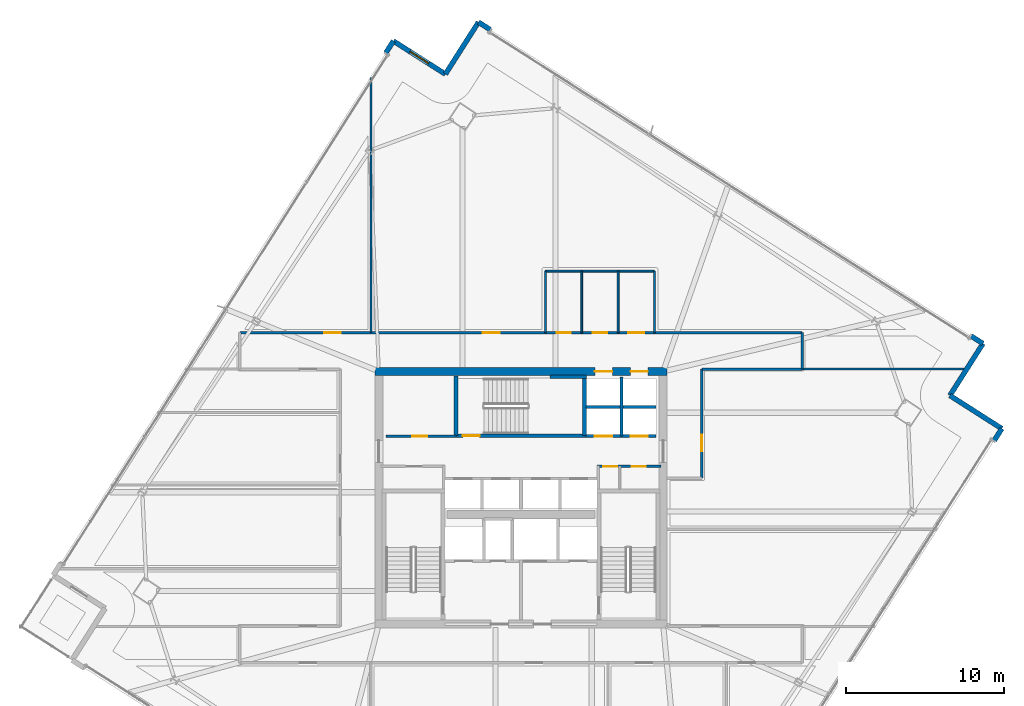
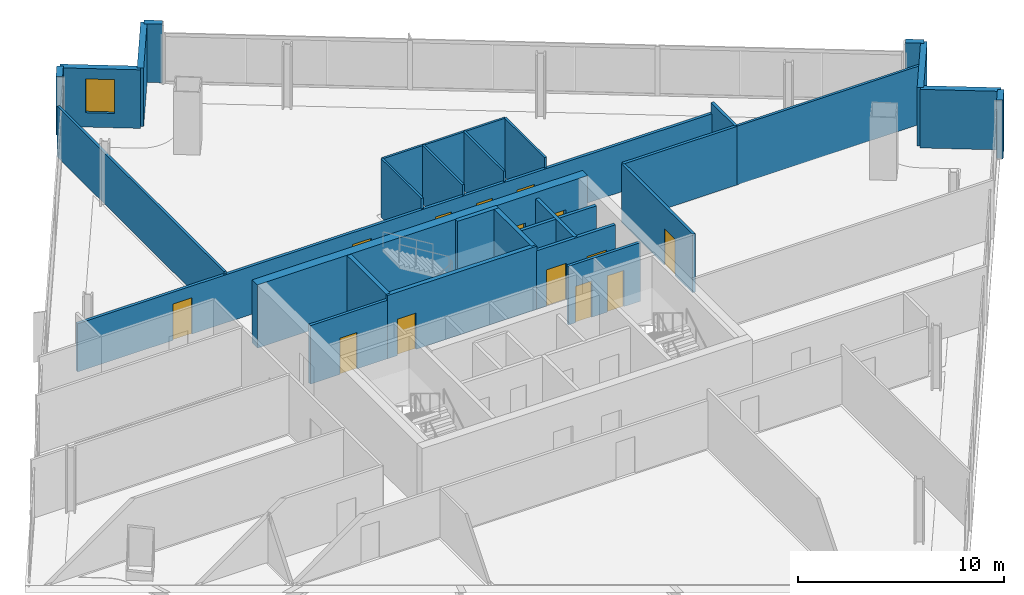
# One storey, part 24 of 30: 29 walls, 14 doors, 1 window, 15 openings.
"""IFC4 building model written with IfcOpenShell, lengths in metres."""

from ifc_helpers import new_model, si_unit, direction, frame, frame_2d, origin, place, context, subcontext, project, spatial, rectangle, extrude, material, layer, layer_set, type_object, element, fill, save


model = new_model("IFC4")

# Units and contexts
model_context = context("Model", 3, precision=1e-05, world=origin(), true_north=direction((0.0, 1.0)))
body_context = subcontext(model_context, "Body", "Model", "MODEL_VIEW")
ifc_project = project(units=[si_unit("LENGTHUNIT", "METRE"), si_unit("AREAUNIT", "SQUARE_METRE"), si_unit("VOLUMEUNIT", "CUBIC_METRE"), si_unit("PLANEANGLEUNIT", "RADIAN"), si_unit("MASSUNIT", "GRAM", prefix="KILO")], contexts=[model_context])

# Site, building, storey
site_placement = place(None, origin())
site = spatial("IfcSite", under=ifc_project, at=site_placement, CompositionType="ELEMENT")
building_placement = place(site_placement, origin())
building = spatial("IfcBuilding", under=site, at=building_placement, Name="Haldenkirk Collegiate Tower", CompositionType="ELEMENT")
storey_placement = place(building_placement, frame((0.0, 0.0, 220.949951171875)))
storey = spatial("IfcBuildingStorey", under=building, at=storey_placement, Name="L55", CompositionType="ELEMENT", Elevation=220.949951171875)

# Wall, openings, doors
ifc_material_1 = material(Name="Concrete f'c 55 MPa", Category="concrete")
ifc_layer_1 = layer(ifc_material_1, 0.5)
ifc_layer_set_1 = layer_set([ifc_layer_1], Name="Concrete f'c 55 MPa")
wall_type_1 = type_object("IfcWallType", Name="WL-CORE-500", PredefinedType="SHEAR", material=ifc_layer_set_1)
wall_1_placement = place(storey_placement, frame((26.75, 34.0, 0.0), z_axis=(0.0, 0.0, 1.0), x_axis=(1.0, 0.0, 0.0)))
wall_1 = element("IfcWall", 1, at=wall_1_placement, inside=storey, type_object=wall_type_1, Name="L55 central core shear wall N", PredefinedType="SHEAR", context=body_context, shape_type="SweptSolid", body=[
    extrude(rectangle(XDim=18.5, YDim=0.5, at=frame_2d((9.25, 0.0))), origin(), (0.0, 0.0, 1.0), 3.75),
])
opening_1_placement = place(wall_1_placement, frame((13.93505859375, 0.0, 0.0)))
opening_1 = element("IfcOpeningElement", 2, at=opening_1_placement, cuts=wall_1, Name="Opening LD-11", PredefinedType="OPENING", context=body_context, shape_type="SweptSolid", body=[
    extrude(rectangle(XDim=1.10009765625, YDim=2.14990234375, at=frame_2d((0.550048828125, 1.074951171875))), frame((0.0, 0.260009765625, 0.0), z_axis=(0.0, -1.0, 0.0), x_axis=(1.0, 0.0, 0.0)), (0.0, 0.0, 1.0), 0.52001953125),
])
opening_2_placement = place(wall_1_placement, frame((16.18505859375, 0.0, 0.0)))
opening_2 = element("IfcOpeningElement", 3, at=opening_2_placement, cuts=wall_1, Name="Opening LD-11", PredefinedType="OPENING", context=body_context, shape_type="SweptSolid", body=[
    extrude(rectangle(XDim=1.10009765625, YDim=2.14990234375, at=frame_2d((0.550048828125, 1.074951171875))), frame((0.0, 0.260009765625, 0.0), z_axis=(0.0, -1.0, 0.0), x_axis=(1.0, 0.0, 0.0)), (0.0, 0.0, 1.0), 0.52001953125),
])
ifc_material_2 = material(Name="Brushed architectural stainless steel", Category="steel")
ifc_layer_2 = layer(ifc_material_2, 0.06005859375)
ifc_layer_set_2 = layer_set([ifc_layer_2], Name="Brushed architectural stainless steel")
door_type_1 = type_object("IfcDoorType", Name="LD-PASS-1100", OperationType="NOTDEFINED", PredefinedType="DOOR", material=ifc_layer_set_2)
door_1_placement = place(opening_1_placement, origin())
door_1 = element("IfcDoor", 4, at=door_1_placement, inside=storey, type_object=door_type_1, Name="L55 Elevator PM3 sliding landing door", OperationType="SLIDING_TO_LEFT", OverallHeight=2.14990234375, OverallWidth=1.10009765625, PredefinedType="DOOR", context=body_context, shape_type="SweptSolid", body=[
    extrude(rectangle(XDim=1.10009765625, YDim=2.14990234375, at=frame_2d((0.550048828125, 1.074951171875))), frame((0.0, 0.02490234375, 0.0), z_axis=(0.0, -1.0, 0.0), x_axis=(1.0, 0.0, 0.0)), (0.0, 0.0, 1.0), 0.050048828125),
])
fill(opening_1, door_1)
door_2_placement = place(opening_2_placement, origin())
door_2 = element("IfcDoor", 5, at=door_2_placement, inside=storey, type_object=door_type_1, Name="L55 Elevator PM4 sliding landing door", OperationType="SLIDING_TO_LEFT", OverallHeight=2.14990234375, OverallWidth=1.10009765625, PredefinedType="DOOR", context=body_context, shape_type="SweptSolid", body=[
    extrude(rectangle(XDim=1.10009765625, YDim=2.14990234375, at=frame_2d((0.550048828125, 1.074951171875))), frame((0.0, 0.02490234375, 0.0), z_axis=(0.0, -1.0, 0.0), x_axis=(1.0, 0.0, 0.0)), (0.0, 0.0, 1.0), 0.050048828125),
])
fill(opening_2, door_2)

# Walls
ifc_material_3 = material(Name="Precast concrete f'c 40 MPa", Category="concrete")
ifc_layer_3 = layer(ifc_material_3, 0.320068359375)
ifc_layer_set_3 = layer_set([ifc_layer_3], Name="Precast concrete f'c 40 MPa")
wall_type_2 = type_object("IfcWallType", Name="WL-EXT-TWR-320", PredefinedType="STANDARD", material=ifc_layer_set_3)
wall_2_placement = place(storey_placement, frame((66.445068359375, 30.37744140625, 0.0), z_axis=(0.0, 0.0, 1.0), x_axis=(-0.537366861127, -0.843348597297, 0.0)))
element("IfcWall", 6, at=wall_2_placement, inside=storey, type_object=wall_type_2, Name="L55 precast corner pier SL", PredefinedType="STANDARD", context=body_context, shape_type="SweptSolid", body=[
    extrude(rectangle(XDim=0.89990234375, YDim=0.320068359375, at=frame_2d((0.449951171875, 0.0))), origin(), (0.0, 0.0, 1.0), 3.469970703125),
])
for number, where, z_axis, x_axis, name in (
    (7, (63.15576171875, 32.472900390625, 0.0), (0.0, 0.0, 1.0), (0.8433984701, -0.537288582266, 0.0), "L55 bronze precast notch wall 02"),
    (8, (65.251220703125, 35.76220703125, 0.0), (0.0, 0.0, 1.0), (-0.537288582266, -0.8433984701, 0.0), "L55 bronze precast notch wall 03"),
):
    element("IfcWall", number, at=place(storey_placement, frame(where, z_axis=z_axis, x_axis=x_axis)), inside=storey, type_object=wall_type_2, Name=name, PredefinedType="STANDARD", context=body_context, shape_type="SweptSolid", body=[
        extrude(rectangle(XDim=3.900146484375, YDim=0.320068359375, at=frame_2d((1.9501953125, 0.0))), origin(), (0.0, 0.0, 1.0), 3.469970703125),
    ])
for number, where, z_axis, x_axis, name in (
    (9, (33.307861328125, 56.1123046875, 0.0), (0.0, 0.0, 1.0), (0.843471524989, -0.537173888543, 0.0), "L55 precast corner pier EL"),
    (10, (64.4921875, 36.245849609375, 0.0), (0.0, 0.0, 1.0), (0.843348597297, -0.537366861127, 0.0), "L55 precast corner pier ER"),
):
    element("IfcWall", number, at=place(storey_placement, frame(where, z_axis=z_axis, x_axis=x_axis)), inside=storey, type_object=wall_type_2, Name=name, PredefinedType="STANDARD", context=body_context, shape_type="SweptSolid", body=[
        extrude(rectangle(XDim=0.89990234375, YDim=0.320068359375, at=frame_2d((0.449951171875, 0.0))), origin(), (0.0, 0.0, 1.0), 3.469970703125),
    ])
wall_3_placement = place(storey_placement, frame((31.21240234375, 52.8232421875, 0.0), z_axis=(0.0, 0.0, 1.0), x_axis=(0.537316950166, 0.843380397605, 0.0)))
element("IfcWall", 11, at=wall_3_placement, inside=storey, type_object=wall_type_2, Name="L55 bronze precast notch wall 05", PredefinedType="STANDARD", context=body_context, shape_type="SweptSolid", body=[
    extrude(rectangle(XDim=3.89990234375, YDim=0.320068359375, at=frame_2d((1.949951171875, 0.0))), origin(), (0.0, 0.0, 1.0), 3.469970703125),
])

# Wall, opening, window
wall_4_placement = place(storey_placement, frame((27.923095703125, 54.918701171875, 0.0), z_axis=(0.0, 0.0, 1.0), x_axis=(0.8433984701, -0.537288582266, 0.0)))
wall_4 = element("IfcWall", 12, at=wall_4_placement, inside=storey, type_object=wall_type_2, Name="L55 bronze precast notch wall 06", PredefinedType="STANDARD", context=body_context, shape_type="SweptSolid", body=[
    extrude(rectangle(XDim=3.900146484375, YDim=0.320068359375, at=frame_2d((1.9501953125, 0.0))), origin(), (0.0, 0.0, 1.0), 3.469970703125),
])
opening_3_placement = place(wall_4_placement, frame((1.25, 0.0, 0.85009765625)))
opening_3 = element("IfcOpeningElement", 13, at=opening_3_placement, cuts=wall_4, Name="Opening W-06", PredefinedType="OPENING", context=body_context, shape_type="SweptSolid", body=[
    extrude(rectangle(XDim=1.39990234375, YDim=2.0, at=frame_2d((0.699951171875, 1.0))), frame((0.0, 0.169921875, 0.0), z_axis=(0.0, -1.0, 0.0), x_axis=(1.0, 0.0, 0.0)), (0.0, 0.0, 1.0), 0.340087890625),
])
ifc_material_4 = material(Name="Low-E argon triple insulating glass", Category="glass")
ifc_layer_4 = layer(ifc_material_4, 0.090087890625)
ifc_layer_set_4 = layer_set([ifc_layer_4], Name="Low-E argon triple insulating glass")
window_type = type_object("IfcWindowType", Name="WN-Z4-1400X2000", PartitioningType="SINGLE_PANEL", PredefinedType="WINDOW", material=ifc_layer_set_4)
window_placement = place(opening_3_placement, origin())
window = element("IfcWindow", 14, at=window_placement, inside=storey, type_object=window_type, Name="L55 precast-frame academic window 5", OverallHeight=2.0, OverallWidth=1.39990234375, PartitioningType="SINGLE_PANEL", PredefinedType="WINDOW", context=body_context, shape_type="SweptSolid", body=[
    extrude(rectangle(XDim=1.39990234375, YDim=2.0, at=frame_2d((0.699951171875, 1.0))), frame((0.0, 0.030029296875, 0.0), z_axis=(0.0, -1.0, 0.0), x_axis=(1.0, 0.0, 0.0)), (0.0, 0.0, 1.0), 0.06005859375),
])
fill(opening_3, window)

# Wall
wall_5_placement = place(storey_placement, frame((27.439453125, 54.159423828125, 0.0), z_axis=(0.0, 0.0, 1.0), x_axis=(0.53724395169, 0.843426900432, 0.0)))
element("IfcWall", 15, at=wall_5_placement, inside=storey, type_object=wall_type_2, Name="L55 precast corner pier NR", PredefinedType="STANDARD", context=body_context, shape_type="SweptSolid", body=[
    extrude(rectangle(XDim=0.900146484375, YDim=0.320068359375, at=frame_2d((0.4501953125, 0.0))), origin(), (0.0, 0.0, 1.0), 3.469970703125),
])

# Wall, openings, doors
ifc_material_5 = material(Name="Acoustic fire-rated gypsum partition", Category="concrete")
ifc_layer_5 = layer(ifc_material_5, 0.159912109375)
ifc_layer_set_5 = layer_set([ifc_layer_5], Name="Acoustic fire-rated gypsum partition")
wall_type_3 = type_object("IfcWallType", Name="WL-INT-CORR-160", PredefinedType="PARTITIONING", material=ifc_layer_set_5)
wall_6_placement = place(storey_placement, frame((40.800048828125, 27.97998046875, 0.0), z_axis=(0.0, 0.0, 1.0), x_axis=(1.0, 0.0, 0.0)))
wall_6 = element("IfcWall", 16, at=wall_6_placement, inside=storey, type_object=wall_type_3, Name="L55 interior partition IW-L55-VCSE-N", PredefinedType="PARTITIONING", context=body_context, shape_type="SweptSolid", body=[
    extrude(rectangle(XDim=4.050048828125, YDim=0.159912109375, at=frame_2d((2.02490234375, 0.0))), origin(), (0.0, 0.0, 1.0), 3.469970703125),
])
opening_4_placement = place(wall_6_placement, frame((0.407470703125, 0.0, 0.0)))
opening_4 = element("IfcOpeningElement", 17, at=opening_4_placement, cuts=wall_6, Name="Opening D-11", PredefinedType="OPENING", context=body_context, shape_type="SweptSolid", body=[
    extrude(rectangle(XDim=0.89990234375, YDim=2.14990234375, at=frame_2d((0.449951171875, 1.074951171875))), frame((0.0, 0.08984375, 0.0), z_axis=(0.0, -1.0, 0.0), x_axis=(1.0, 0.0, 0.0)), (0.0, 0.0, 1.0), 0.179931640625),
])
opening_5_placement = place(wall_6_placement, frame((2.199951171875, 0.0, 0.0)))
opening_5 = element("IfcOpeningElement", 18, at=opening_5_placement, cuts=wall_6, Name="Opening D-11", PredefinedType="OPENING", context=body_context, shape_type="SweptSolid", body=[
    extrude(rectangle(XDim=0.89990234375, YDim=2.14990234375, at=frame_2d((0.449951171875, 1.074951171875))), frame((0.0, 0.08984375, 0.0), z_axis=(0.0, -1.0, 0.0), x_axis=(1.0, 0.0, 0.0)), (0.0, 0.0, 1.0), 0.179931640625),
])
ifc_material_6 = material(Name="Solid-core architectural oak fire door", Category="wood")
ifc_layer_6 = layer(ifc_material_6, 0.06005859375)
ifc_layer_set_6 = layer_set([ifc_layer_6], Name="Solid-core architectural oak fire door")
door_type_2 = type_object("IfcDoorType", Name="DR-INT-FD60-900", OperationType="NOTDEFINED", PredefinedType="DOOR", material=ifc_layer_set_6)
door_3_placement = place(opening_4_placement, origin())
door_3 = element("IfcDoor", 19, at=door_3_placement, inside=storey, type_object=door_type_2, Name="L55 core copy room door", OperationType="SINGLE_SWING_LEFT", OverallHeight=2.14990234375, OverallWidth=0.89990234375, PredefinedType="DOOR", context=body_context, shape_type="SweptSolid", body=[
    extrude(rectangle(XDim=0.89990234375, YDim=2.14990234375, at=frame_2d((0.449951171875, 1.074951171875))), frame((0.0, 0.02490234375, 0.0), z_axis=(0.0, -1.0, 0.0), x_axis=(1.0, 0.0, 0.0)), (0.0, 0.0, 1.0), 0.050048828125),
])
fill(opening_4, door_3)
door_4_placement = place(opening_5_placement, origin())
door_4 = element("IfcDoor", 20, at=door_4_placement, inside=storey, type_object=door_type_2, Name="L55 core records store door", OperationType="SINGLE_SWING_RIGHT", OverallHeight=2.14990234375, OverallWidth=0.89990234375, PredefinedType="DOOR", context=body_context, shape_type="SweptSolid", body=[
    extrude(rectangle(XDim=0.89990234375, YDim=2.14990234375, at=frame_2d((0.449951171875, 1.074951171875))), frame((0.0, 0.02490234375, 0.0), z_axis=(0.0, -1.0, 0.0), x_axis=(1.0, 0.0, 0.0)), (0.0, 0.0, 1.0), 0.050048828125),
])
fill(opening_5, door_4)

# Wall, opening, door
wall_7_placement = place(storey_placement, frame((27.449951171875, 29.89990234375, 0.0), z_axis=(0.0, 0.0, 1.0), x_axis=(1.0, 0.0, 0.0)))
wall_7 = element("IfcWall", 21, at=wall_7_placement, inside=storey, type_object=wall_type_3, Name="L55 interior partition IW-L55-PLS", PredefinedType="PARTITIONING", context=body_context, shape_type="SweptSolid", body=[
    extrude(rectangle(XDim=4.429931640625, YDim=0.159912109375, at=frame_2d((2.21484375, 0.0))), origin(), (0.0, 0.0, 1.0), 3.469970703125),
])
opening_6_placement = place(wall_7_placement, frame((1.675048828125, 0.0, 0.0)))
opening_6 = element("IfcOpeningElement", 22, at=opening_6_placement, cuts=wall_7, Name="Opening D-10", PredefinedType="OPENING", context=body_context, shape_type="SweptSolid", body=[
    extrude(rectangle(XDim=0.949951171875, YDim=2.14990234375, at=frame_2d((0.47509765625, 1.074951171875))), frame((0.0, 0.08984375, 0.0), z_axis=(0.0, -1.0, 0.0), x_axis=(1.0, 0.0, 0.0)), (0.0, 0.0, 1.0), 0.179931640625),
])
ifc_layer_7 = layer(ifc_material_6, 0.06005859375)
ifc_layer_set_7 = layer_set([ifc_layer_7], Name="Solid-core architectural oak fire door")
door_type_3 = type_object("IfcDoorType", Name="DR-INT-FD60-950", OperationType="NOTDEFINED", PredefinedType="DOOR", material=ifc_layer_set_7)
door_5_placement = place(opening_6_placement, origin())
door_5 = element("IfcDoor", 23, at=door_5_placement, inside=storey, type_object=door_type_3, Name="L55 archive door", OperationType="SINGLE_SWING_LEFT", OverallHeight=2.14990234375, OverallWidth=0.949951171875, PredefinedType="DOOR", context=body_context, shape_type="SweptSolid", body=[
    extrude(rectangle(XDim=0.949951171875, YDim=2.14990234375, at=frame_2d((0.47509765625, 1.074951171875))), frame((0.0, 0.02490234375, 0.0), z_axis=(0.0, -1.0, 0.0), x_axis=(1.0, 0.0, 0.0)), (0.0, 0.0, 1.0), 0.050048828125),
])
fill(opening_6, door_5)

# Wall, openings, doors
wall_8_placement = place(storey_placement, frame((18.199951171875, 36.449951171875, 0.0), z_axis=(0.0, 0.0, 1.0), x_axis=(1.0, 0.0, 0.0)))
wall_8 = element("IfcWall", 24, at=wall_8_placement, inside=storey, type_object=wall_type_3, Name="L55 interior partition IW-L55-CN", PredefinedType="PARTITIONING", context=body_context, shape_type="SweptSolid", body=[
    extrude(rectangle(XDim=35.60009765625, YDim=0.159912109375, at=frame_2d((17.800048828125, 0.0))), origin(), (0.0, 0.0, 1.0), 2.84912109375),
])
opening_7_placement = place(wall_8_placement, frame((20.050048828125, 0.0, 0.0)))
opening_7 = element("IfcOpeningElement", 25, at=opening_7_placement, cuts=wall_8, Name="Opening D-13", PredefinedType="OPENING", context=body_context, shape_type="SweptSolid", body=[
    extrude(rectangle(XDim=0.89990234375, YDim=2.14990234375, at=frame_2d((0.449951171875, 1.074951171875))), frame((0.0, 0.08984375, 0.0), z_axis=(0.0, -1.0, 0.0), x_axis=(1.0, 0.0, 0.0)), (0.0, 0.0, 1.0), 0.179931640625),
])
opening_8_placement = place(wall_8_placement, frame((22.35009765625, 0.0, 0.0)))
opening_8 = element("IfcOpeningElement", 26, at=opening_8_placement, cuts=wall_8, Name="Opening D-13", PredefinedType="OPENING", context=body_context, shape_type="SweptSolid", body=[
    extrude(rectangle(XDim=0.89990234375, YDim=2.14990234375, at=frame_2d((0.449951171875, 1.074951171875))), frame((0.0, 0.08984375, 0.0), z_axis=(0.0, -1.0, 0.0), x_axis=(1.0, 0.0, 0.0)), (0.0, 0.0, 1.0), 0.179931640625),
])
opening_9_placement = place(wall_8_placement, frame((24.60009765625, 0.0, 0.0)))
opening_9 = element("IfcOpeningElement", 27, at=opening_9_placement, cuts=wall_8, Name="Opening D-14", PredefinedType="OPENING", context=body_context, shape_type="SweptSolid", body=[
    extrude(rectangle(XDim=1.0, YDim=2.14990234375, at=frame_2d((0.5, 1.074951171875))), frame((0.0, 0.08984375, 0.0), z_axis=(0.0, -1.0, 0.0), x_axis=(1.0, 0.0, 0.0)), (0.0, 0.0, 1.0), 0.179931640625),
])
opening_10_placement = place(wall_8_placement, frame((5.344970703125, 0.0, 0.0)))
opening_10 = element("IfcOpeningElement", 28, at=opening_10_placement, cuts=wall_8, Name="Opening D-09", PredefinedType="OPENING", context=body_context, shape_type="SweptSolid", body=[
    extrude(rectangle(XDim=1.050048828125, YDim=2.14990234375, at=frame_2d((0.52490234375, 1.074951171875))), frame((0.0, 0.08984375, 0.0), z_axis=(0.0, -1.0, 0.0), x_axis=(1.0, 0.0, 0.0)), (0.0, 0.0, 1.0), 0.179931640625),
])
opening_11_placement = place(wall_8_placement, frame((15.39501953125, 0.0, 0.0)))
opening_11 = element("IfcOpeningElement", 29, at=opening_11_placement, cuts=wall_8, Name="Opening D-09", PredefinedType="OPENING", context=body_context, shape_type="SweptSolid", body=[
    extrude(rectangle(XDim=1.050048828125, YDim=2.14990234375, at=frame_2d((0.52490234375, 1.074951171875))), frame((0.0, 0.08984375, 0.0), z_axis=(0.0, -1.0, 0.0), x_axis=(1.0, 0.0, 0.0)), (0.0, 0.0, 1.0), 0.179931640625),
])
ifc_layer_8 = layer(ifc_material_6, 0.06005859375)
ifc_layer_set_8 = layer_set([ifc_layer_8], Name="Solid-core architectural oak fire door")
door_type_4 = type_object("IfcDoorType", Name="DR-INT-ACC-1000", OperationType="NOTDEFINED", PredefinedType="DOOR", material=ifc_layer_set_8)
door_6_placement = place(opening_9_placement, origin())
door_6 = element("IfcDoor", 30, at=door_6_placement, inside=storey, type_object=door_type_4, Name="L55 Accessible WC door", OperationType="SINGLE_SWING_RIGHT", OverallHeight=2.14990234375, OverallWidth=1.0, PredefinedType="DOOR", context=body_context, shape_type="SweptSolid", body=[
    extrude(rectangle(XDim=1.0, YDim=2.14990234375, at=frame_2d((0.5, 1.074951171875))), frame((0.0, 0.02490234375, 0.0), z_axis=(0.0, -1.0, 0.0), x_axis=(1.0, 0.0, 0.0)), (0.0, 0.0, 1.0), 0.050048828125),
])
fill(opening_9, door_6)
ifc_layer_9 = layer(ifc_material_6, 0.06005859375)
ifc_layer_set_9 = layer_set([ifc_layer_9], Name="Solid-core architectural oak fire door")
door_type_5 = type_object("IfcDoorType", Name="DR-INT-FD60-1050", OperationType="NOTDEFINED", PredefinedType="DOOR", material=ifc_layer_set_9)
door_7_placement = place(opening_10_placement, origin())
door_7 = element("IfcDoor", 31, at=door_7_placement, inside=storey, type_object=door_type_5, Name="L55 Instrument Store Room 5 door", OperationType="SINGLE_SWING_LEFT", OverallHeight=2.14990234375, OverallWidth=1.050048828125, PredefinedType="DOOR", context=body_context, shape_type="SweptSolid", body=[
    extrude(rectangle(XDim=1.050048828125, YDim=2.14990234375, at=frame_2d((0.52490234375, 1.074951171875))), frame((0.0, 0.02490234375, 0.0), z_axis=(0.0, -1.0, 0.0), x_axis=(1.0, 0.0, 0.0)), (0.0, 0.0, 1.0), 0.050048828125),
])
fill(opening_10, door_7)
door_8_placement = place(opening_11_placement, origin())
door_8 = element("IfcDoor", 32, at=door_8_placement, inside=storey, type_object=door_type_5, Name="L55 Material Specimen Store 6 door", OperationType="SINGLE_SWING_RIGHT", OverallHeight=2.14990234375, OverallWidth=1.050048828125, PredefinedType="DOOR", context=body_context, shape_type="SweptSolid", body=[
    extrude(rectangle(XDim=1.050048828125, YDim=2.14990234375, at=frame_2d((0.52490234375, 1.074951171875))), frame((0.0, 0.02490234375, 0.0), z_axis=(0.0, -1.0, 0.0), x_axis=(1.0, 0.0, 0.0)), (0.0, 0.0, 1.0), 0.050048828125),
])
fill(opening_11, door_8)
ifc_layer_10 = layer(ifc_material_6, 0.06005859375)
ifc_layer_set_10 = layer_set([ifc_layer_10], Name="Solid-core architectural oak fire door")
door_type_6 = type_object("IfcDoorType", Name="DR-INT-STD-900", OperationType="NOTDEFINED", PredefinedType="DOOR", material=ifc_layer_set_10)
door_9_placement = place(opening_7_placement, origin())
door_9 = element("IfcDoor", 33, at=door_9_placement, inside=storey, type_object=door_type_6, Name="L55 Male WC door", OperationType="SINGLE_SWING_RIGHT", OverallHeight=2.14990234375, OverallWidth=0.89990234375, PredefinedType="DOOR", context=body_context, shape_type="SweptSolid", body=[
    extrude(rectangle(XDim=0.89990234375, YDim=2.14990234375, at=frame_2d((0.449951171875, 1.074951171875))), frame((0.0, 0.02490234375, 0.0), z_axis=(0.0, -1.0, 0.0), x_axis=(1.0, 0.0, 0.0)), (0.0, 0.0, 1.0), 0.050048828125),
])
fill(opening_7, door_9)
door_10_placement = place(opening_8_placement, origin())
door_10 = element("IfcDoor", 34, at=door_10_placement, inside=storey, type_object=door_type_6, Name="L55 Female WC door", OperationType="SINGLE_SWING_LEFT", OverallHeight=2.14990234375, OverallWidth=0.89990234375, PredefinedType="DOOR", context=body_context, shape_type="SweptSolid", body=[
    extrude(rectangle(XDim=0.89990234375, YDim=2.14990234375, at=frame_2d((0.449951171875, 1.074951171875))), frame((0.0, 0.02490234375, 0.0), z_axis=(0.0, -1.0, 0.0), x_axis=(1.0, 0.0, 0.0)), (0.0, 0.0, 1.0), 0.050048828125),
])
fill(opening_8, door_10)

# Wall
wall_9_placement = place(storey_placement, frame((47.449951171875, 34.14990234375, 0.0), z_axis=(0.0, 0.0, 1.0), x_axis=(1.0, 0.0, 0.0)))
element("IfcWall", 35, at=wall_9_placement, inside=storey, type_object=wall_type_3, Name="L55 interior partition IW-L55-CNE", PredefinedType="PARTITIONING", context=body_context, shape_type="SweptSolid", body=[
    extrude(rectangle(XDim=6.35009765625, YDim=0.159912109375, at=frame_2d((3.175048828125, 0.0))), origin(), (0.0, 0.0, 1.0), 3.469970703125),
])

# Wall, opening, door
wall_10_placement = place(storey_placement, frame((47.449951171875, 27.25, 0.0), z_axis=(0.0, 0.0, 1.0), x_axis=(0.0, 1.0, 0.0)))
wall_10 = element("IfcWall", 36, at=wall_10_placement, inside=storey, type_object=wall_type_3, Name="L55 interior partition IW-L55-CE", PredefinedType="PARTITIONING", context=body_context, shape_type="SweptSolid", body=[
    extrude(rectangle(XDim=6.89990234375, YDim=0.159912109375, at=frame_2d((3.449951171875, 0.0))), origin(), (0.0, 0.0, 1.0), 3.469970703125),
])
opening_12_placement = place(wall_10_placement, frame((1.68310546875, 0.0, 0.0)))
opening_12 = element("IfcOpeningElement", 37, at=opening_12_placement, cuts=wall_10, Name="Opening D-09", PredefinedType="OPENING", context=body_context, shape_type="SweptSolid", body=[
    extrude(rectangle(XDim=1.050048828125, YDim=2.14990234375, at=frame_2d((0.52490234375, 1.074951171875))), frame((0.0, 0.08984375, 0.0), z_axis=(0.0, -1.0, 0.0), x_axis=(1.0, 0.0, 0.0)), (0.0, 0.0, 1.0), 0.179931640625),
])
door_11_placement = place(opening_12_placement, origin())
door_11 = element("IfcDoor", 38, at=door_11_placement, inside=storey, type_object=door_type_5, Name="L55 Material Specimen Store 12 door", OperationType="SINGLE_SWING_RIGHT", OverallHeight=2.14990234375, OverallWidth=1.050048828125, PredefinedType="DOOR", context=body_context, shape_type="SweptSolid", body=[
    extrude(rectangle(XDim=1.050048828125, YDim=2.14990234375, at=frame_2d((0.52490234375, 1.074951171875))), frame((0.0, 0.02490234375, 0.0), z_axis=(0.0, -1.0, 0.0), x_axis=(1.0, 0.0, 0.0)), (0.0, 0.0, 1.0), 0.050048828125),
])
fill(opening_12, door_11)

# Walls
wall_11_placement = place(storey_placement, frame((53.800048828125, 34.14990234375, 0.0), z_axis=(0.0, 0.0, 1.0), x_axis=(0.0, 1.0, 0.0)))
element("IfcWall", 39, at=wall_11_placement, inside=storey, type_object=wall_type_3, Name="L55 interior partition IW-L55-CNR", PredefinedType="PARTITIONING", context=body_context, shape_type="SweptSolid", body=[
    extrude(rectangle(XDim=2.300048828125, YDim=0.159912109375, at=frame_2d((1.14990234375, 0.0))), origin(), (0.0, 0.0, 1.0), 3.469970703125),
])
ifc_layer_11 = layer(ifc_material_5, 0.139892578125)
ifc_layer_set_11 = layer_set([ifc_layer_11], Name="Acoustic fire-rated gypsum partition")
wall_type_4 = type_object("IfcWallType", Name="WL-INT-DIV-140", PredefinedType="PARTITIONING", material=ifc_layer_set_11)
wall_12_placement = place(storey_placement, frame((53.800048828125, 34.14990234375, 0.0), z_axis=(0.0, 0.0, 1.0), x_axis=(1.0, 0.0, 0.0)))
element("IfcWall", 40, at=wall_12_placement, inside=storey, type_object=wall_type_4, Name="L55 interior partition IW-L55-BEN", PredefinedType="PARTITIONING", context=body_context, shape_type="SweptSolid", body=[
    extrude(rectangle(XDim=10.376708984375, YDim=0.139892578125, at=frame_2d((5.1884765625, 0.0))), origin(), (0.0, 0.0, 1.0), 3.469970703125),
])
wall_13_placement = place(storey_placement, frame((26.5, 36.449951171875, 0.0), z_axis=(0.0, 0.0, 1.0), x_axis=(0.0, 1.0, 0.0)))
element("IfcWall", 41, at=wall_13_placement, inside=storey, type_object=wall_type_4, Name="L55 interior partition IW-L55-RN1", PredefinedType="PARTITIONING", context=body_context, shape_type="SweptSolid", body=[
    extrude(rectangle(XDim=16.160400390625, YDim=0.139892578125, at=frame_2d((8.080078125, 0.0))), origin(), (0.0, 0.0, 1.0), 3.008056640625),
])

# Wall, openings, doors
ifc_material_7 = material(Name="Fire-rated gypsum shaftboard assembly", Category="concrete")
ifc_layer_12 = layer(ifc_material_7, 0.179931640625)
ifc_layer_set_12 = layer_set([ifc_layer_12], Name="Fire-rated gypsum shaftboard assembly")
wall_type_5 = type_object("IfcWallType", Name="WL-INT-SHAFT-180", PredefinedType="PARTITIONING", material=ifc_layer_set_12)
wall_14_placement = place(storey_placement, frame((40.1201171875, 29.89990234375, 0.0), z_axis=(0.0, 0.0, 1.0), x_axis=(1.0, 0.0, 0.0)))
wall_14 = element("IfcWall", 42, at=wall_14_placement, inside=storey, type_object=wall_type_5, Name="L55 interior partition IW-L55-PMS", PredefinedType="PARTITIONING", context=body_context, shape_type="SweptSolid", body=[
    extrude(rectangle(XDim=4.429931640625, YDim=0.179931640625, at=frame_2d((2.21484375, 0.0))), origin(), (0.0, 0.0, 1.0), 3.469970703125),
])
opening_13_placement = place(wall_14_placement, frame((0.56494140625, 0.0, 0.0)))
opening_13 = element("IfcOpeningElement", 43, at=opening_13_placement, cuts=wall_14, Name="Opening LD-11", PredefinedType="OPENING", context=body_context, shape_type="SweptSolid", body=[
    extrude(rectangle(XDim=1.10009765625, YDim=2.14990234375, at=frame_2d((0.550048828125, 1.074951171875))), frame((0.0, 0.099853515625, 0.0), z_axis=(0.0, -1.0, 0.0), x_axis=(1.0, 0.0, 0.0)), (0.0, 0.0, 1.0), 0.199951171875),
])
opening_14_placement = place(wall_14_placement, frame((2.81494140625, 0.0, 0.0)))
opening_14 = element("IfcOpeningElement", 44, at=opening_14_placement, cuts=wall_14, Name="Opening LD-11", PredefinedType="OPENING", context=body_context, shape_type="SweptSolid", body=[
    extrude(rectangle(XDim=1.10009765625, YDim=2.14990234375, at=frame_2d((0.550048828125, 1.074951171875))), frame((0.0, 0.099853515625, 0.0), z_axis=(0.0, -1.0, 0.0), x_axis=(1.0, 0.0, 0.0)), (0.0, 0.0, 1.0), 0.199951171875),
])
door_12_placement = place(opening_13_placement, origin())
door_12 = element("IfcDoor", 45, at=door_12_placement, inside=storey, type_object=door_type_1, Name="L55 Elevator PM1 sliding landing door", OperationType="SLIDING_TO_LEFT", OverallHeight=2.14990234375, OverallWidth=1.10009765625, PredefinedType="DOOR", context=body_context, shape_type="SweptSolid", body=[
    extrude(rectangle(XDim=1.10009765625, YDim=2.14990234375, at=frame_2d((0.550048828125, 1.074951171875))), frame((0.0, 0.02490234375, 0.0), z_axis=(0.0, -1.0, 0.0), x_axis=(1.0, 0.0, 0.0)), (0.0, 0.0, 1.0), 0.050048828125),
])
fill(opening_13, door_12)
door_13_placement = place(opening_14_placement, origin())
door_13 = element("IfcDoor", 46, at=door_13_placement, inside=storey, type_object=door_type_1, Name="L55 Elevator PM2 sliding landing door", OperationType="SLIDING_TO_LEFT", OverallHeight=2.14990234375, OverallWidth=1.10009765625, PredefinedType="DOOR", context=body_context, shape_type="SweptSolid", body=[
    extrude(rectangle(XDim=1.10009765625, YDim=2.14990234375, at=frame_2d((0.550048828125, 1.074951171875))), frame((0.0, 0.02490234375, 0.0), z_axis=(0.0, -1.0, 0.0), x_axis=(1.0, 0.0, 0.0)), (0.0, 0.0, 1.0), 0.050048828125),
])
fill(opening_14, door_13)

# Walls
wall_15_placement = place(storey_placement, frame((40.1201171875, 31.75, 0.0), z_axis=(0.0, 0.0, 1.0), x_axis=(1.0, 0.0, 0.0)))
element("IfcWall", 47, at=wall_15_placement, inside=storey, type_object=wall_type_5, Name="L55 interior partition IW-L55-PMM", PredefinedType="PARTITIONING", context=body_context, shape_type="SweptSolid", body=[
    extrude(rectangle(XDim=4.429931640625, YDim=0.179931640625, at=frame_2d((2.21484375, 0.0))), origin(), (0.0, 0.0, 1.0), 3.469970703125),
])
wall_16_placement = place(storey_placement, frame((42.3701171875, 29.89990234375, 0.0), z_axis=(0.0, 0.0, 1.0), x_axis=(0.0, 1.0, 0.0)))
element("IfcWall", 48, at=wall_16_placement, inside=storey, type_object=wall_type_5, Name="L55 interior partition IW-L55-PMV", PredefinedType="PARTITIONING", context=body_context, shape_type="SweptSolid", body=[
    extrude(rectangle(XDim=3.75, YDim=0.179931640625, at=frame_2d((1.875, 0.0))), origin(), (0.0, 0.0, 1.0), 3.469970703125),
])
ifc_layer_13 = layer(ifc_material_5, 0.1201171875)
ifc_layer_set_13 = layer_set([ifc_layer_13], Name="Acoustic fire-rated gypsum partition")
wall_type_6 = type_object("IfcWallType", Name="WL-INT-WET-120", PredefinedType="PARTITIONING", material=ifc_layer_set_13)
for number, where, z_axis, x_axis, name in (
    (49, (37.550048828125, 36.449951171875, 0.0), (0.0, 0.0, 1.0), (0.0, 1.0, 0.0), "L55 interior partition IW-L55-WCW"),
    (50, (39.85009765625, 36.449951171875, 0.0), (0.0, 0.0, 1.0), (0.0, 1.0, 0.0), "L55 interior partition IW-L55-WC1"),
    (51, (42.14990234375, 36.449951171875, 0.0), (0.0, 0.0, 1.0), (0.0, 1.0, 0.0), "L55 interior partition IW-L55-WC2"),
    (52, (44.449951171875, 36.449951171875, 0.0), (0.0, 0.0, 1.0), (0.0, 1.0, 0.0), "L55 interior partition IW-L55-WCE"),
):
    element("IfcWall", number, at=place(storey_placement, frame(where, z_axis=z_axis, x_axis=x_axis)), inside=storey, type_object=wall_type_6, Name=name, PredefinedType="PARTITIONING", context=body_context, shape_type="SweptSolid", body=[
        extrude(rectangle(XDim=3.900146484375, YDim=0.1201171875, at=frame_2d((1.9501953125, 0.0))), origin(), (0.0, 0.0, 1.0), 3.469970703125),
    ])
wall_17_placement = place(storey_placement, frame((37.550048828125, 40.35009765625, 0.0), z_axis=(0.0, 0.0, 1.0), x_axis=(1.0, 0.0, 0.0)))
element("IfcWall", 53, at=wall_17_placement, inside=storey, type_object=wall_type_6, Name="L55 interior partition IW-L55-WCB", PredefinedType="PARTITIONING", context=body_context, shape_type="SweptSolid", body=[
    extrude(rectangle(XDim=6.89990234375, YDim=0.1201171875, at=frame_2d((3.449951171875, 0.0))), origin(), (0.0, 0.0, 1.0), 3.469970703125),
])

# Wall, opening, door
ifc_layer_14 = layer(ifc_material_1, 0.239990234375)
ifc_layer_set_14 = layer_set([ifc_layer_14], Name="Concrete f'c 55 MPa")
wall_type_7 = type_object("IfcWallType", Name="WL-SHAFT-240", PredefinedType="SHEAR", material=ifc_layer_set_14)
wall_18_placement = place(storey_placement, frame((31.760009765625, 29.929931640625, 0.0), z_axis=(0.0, 0.0, 1.0), x_axis=(1.0, 0.0, 0.0)))
wall_18 = element("IfcWall", 54, at=wall_18_placement, inside=storey, type_object=wall_type_7, Name="L55 stair shaft shear wall SW-L55-ST3S", PredefinedType="SHEAR", context=body_context, shape_type="SweptSolid", body=[
    extrude(rectangle(XDim=8.3798828125, YDim=0.239990234375, at=frame_2d((4.18994140625, 0.0))), origin(), (0.0, 0.0, 1.0), 3.75),
])
opening_15_placement = place(wall_18_placement, frame((0.56494140625, 0.0, 0.0)))
opening_15 = element("IfcOpeningElement", 55, at=opening_15_placement, cuts=wall_18, Name="Opening D-01", PredefinedType="OPENING", context=body_context, shape_type="SweptSolid", body=[
    extrude(rectangle(XDim=1.050048828125, YDim=2.14990234375, at=frame_2d((0.52490234375, 1.074951171875))), frame((0.0, 0.1298828125, 0.0), z_axis=(0.0, -1.0, 0.0), x_axis=(1.0, 0.0, 0.0)), (0.0, 0.0, 1.0), 0.260009765625),
])
ifc_material_8 = material(Name="Galvanized fire-rated hollow steel door", Category="steel")
ifc_layer_15 = layer(ifc_material_8, 0.06005859375)
ifc_layer_set_15 = layer_set([ifc_layer_15], Name="Galvanized fire-rated hollow steel door")
door_type_7 = type_object("IfcDoorType", Name="DR-STAIR-FD90-1050", OperationType="NOTDEFINED", PredefinedType="DOOR", material=ifc_layer_set_15)
door_14_placement = place(opening_15_placement, origin())
door_14 = element("IfcDoor", 56, at=door_14_placement, inside=storey, type_object=door_type_7, Name="L55 lift lobby Stair 3 door", OperationType="SINGLE_SWING_RIGHT", OverallHeight=2.14990234375, OverallWidth=1.050048828125, PredefinedType="DOOR", context=body_context, shape_type="SweptSolid", body=[
    extrude(rectangle(XDim=1.050048828125, YDim=2.14990234375, at=frame_2d((0.52490234375, 1.074951171875))), frame((0.0, 0.02490234375, 0.0), z_axis=(0.0, -1.0, 0.0), x_axis=(1.0, 0.0, 0.0)), (0.0, 0.0, 1.0), 0.050048828125),
])
fill(opening_15, door_14)

# Walls
wall_19_placement = place(storey_placement, frame((31.8798828125, 29.929931640625, 0.0), z_axis=(0.0, 0.0, 1.0), x_axis=(0.0, 1.0, 0.0)))
element("IfcWall", 57, at=wall_19_placement, inside=storey, type_object=wall_type_7, Name="L55 stair shaft shear wall SW-L55-ST3W", PredefinedType="SHEAR", context=body_context, shape_type="SweptSolid", body=[
    extrude(rectangle(XDim=3.7900390625, YDim=0.239990234375, at=frame_2d((1.89501953125, 0.0))), origin(), (0.0, 0.0, 1.0), 3.75),
])
wall_20_placement = place(storey_placement, frame((40.02001953125, 29.929931640625, 0.0), z_axis=(0.0, 0.0, 1.0), x_axis=(0.0, 1.0, 0.0)))
element("IfcWall", 58, at=wall_20_placement, inside=storey, type_object=wall_type_7, Name="L55 stair shaft shear wall SW-L55-ST3E", PredefinedType="SHEAR", context=body_context, shape_type="SweptSolid", body=[
    extrude(rectangle(XDim=3.85009765625, YDim=0.239990234375, at=frame_2d((1.925048828125, 0.0))), origin(), (0.0, 0.0, 1.0), 3.75),
])
wall_21_placement = place(storey_placement, frame((37.85009765625, 33.659912109375, 0.0), z_axis=(0.0, 0.0, 1.0), x_axis=(1.0, 0.0, 0.0)))
element("IfcWall", 59, at=wall_21_placement, inside=storey, type_object=wall_type_7, Name="L55 stair shaft shear wall SW-L55-ST3N", PredefinedType="SHEAR", context=body_context, shape_type="SweptSolid", body=[
    extrude(rectangle(XDim=2.289794921875, YDim=0.239990234375, at=frame_2d((1.14501953125, 0.0))), origin(), (0.0, 0.0, 1.0), 3.75),
])

save(model, "model.ifc")
